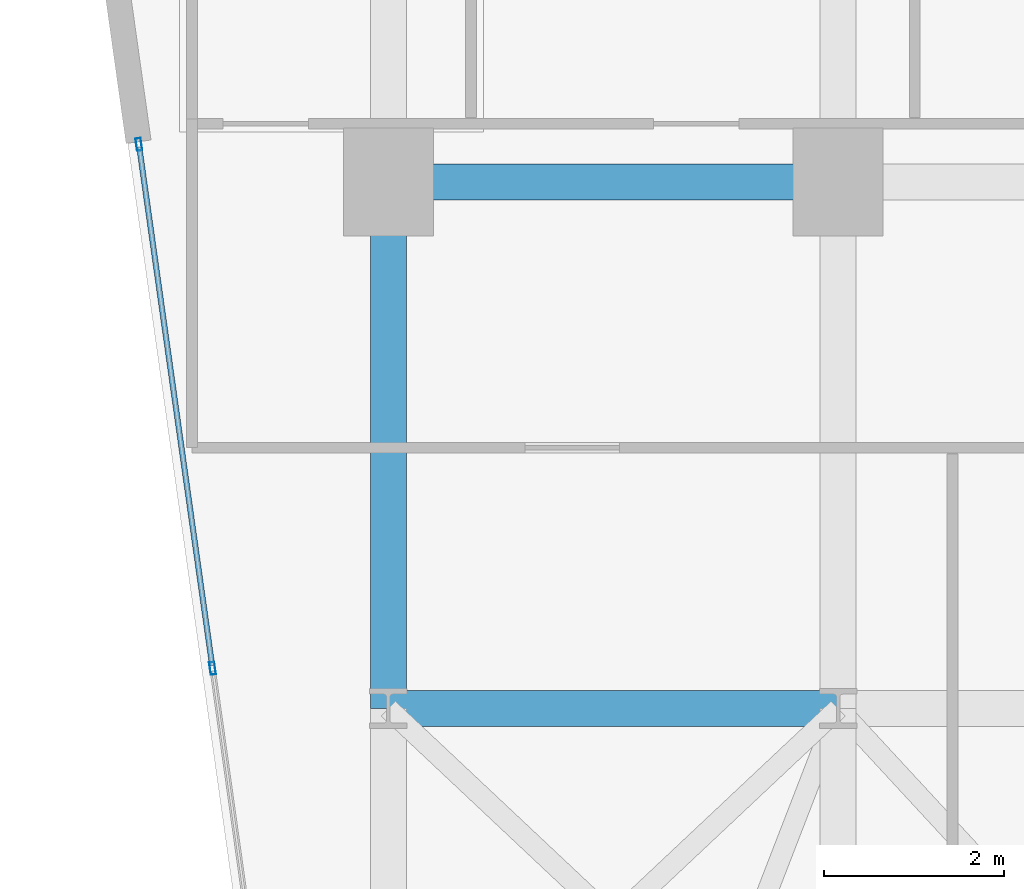
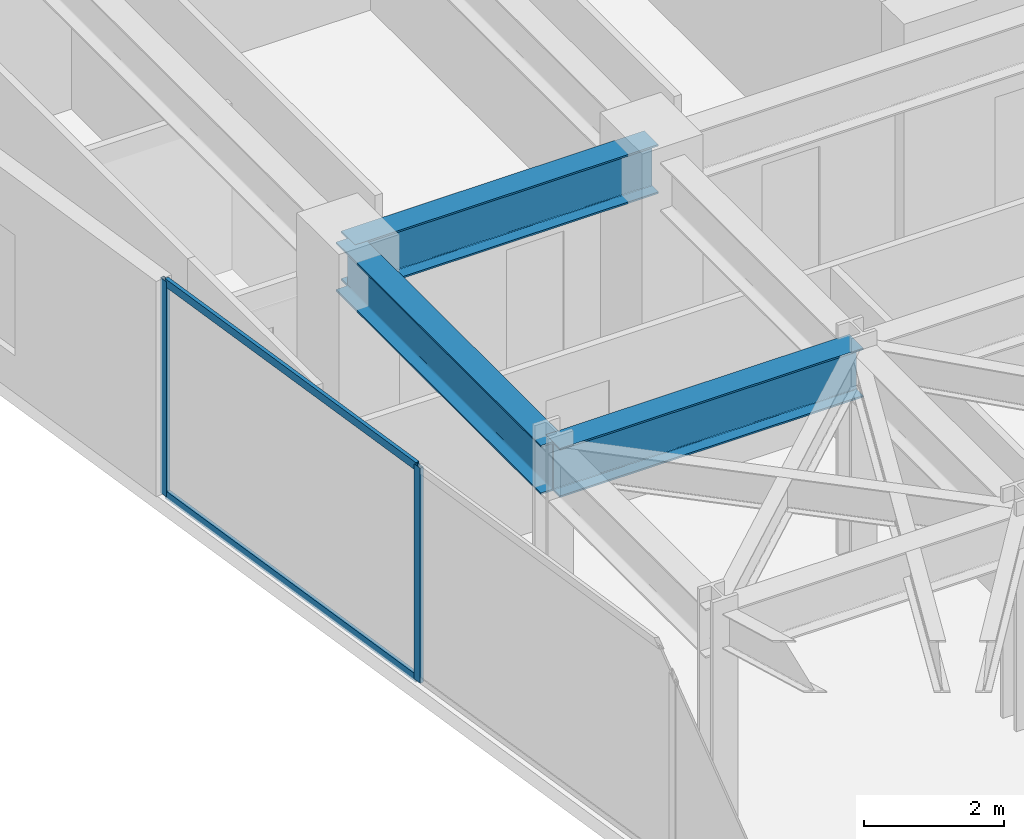
# One storey, part 11 of 26: 4 members, 3 beams, 1 element without a shape of its own.
"""IFC4 building model written with IfcOpenShell, lengths in metres."""

from ifc_helpers import new_model, si_unit, direction, frame, origin, origin_2d, place, context, subcontext, project, spatial, hollow_rectangle, i_section, extrude, material, layer, layer_set, material_profile, profile_set, type_object, element, aggregate, save


model = new_model("IFC4")

# Units and contexts
model_context = context("Model", 3, precision=1e-05, world=origin(), true_north=direction((0.0, 1.0)))
body_context = subcontext(model_context, "Body", "Model", "MODEL_VIEW")
ifc_project = project(units=[si_unit("LENGTHUNIT", "METRE"), si_unit("AREAUNIT", "SQUARE_METRE"), si_unit("VOLUMEUNIT", "CUBIC_METRE"), si_unit("PLANEANGLEUNIT", "RADIAN"), si_unit("MASSUNIT", "GRAM", prefix="KILO")], contexts=[model_context])

# Site, building, storey
site_placement = place(None, origin())
site = spatial("IfcSite", under=ifc_project, at=site_placement, CompositionType="ELEMENT")
building_placement = place(site_placement, origin())
building = spatial("IfcBuilding", under=site, at=building_placement, Name="Kravanh Interchange Tower", CompositionType="ELEMENT")
storey_placement = place(building_placement, frame((0.0, 0.0, 128.0)))
storey = spatial("IfcBuildingStorey", under=building, at=storey_placement, Name="L30", CompositionType="ELEMENT", Elevation=128.0)

# Curtain wall, members
ifc_material_1 = material(Name="Anodised Bronze Aluminium", Category="aluminium")
ifc_layer = layer(ifc_material_1, 0.179931640625)
ifc_layer_set = layer_set([ifc_layer], Name="Unitised Curtain Wall System CW-Z2 Mid Office")
curtain_wall_type = type_object("IfcCurtainWallType", Name="Unitised Curtain Wall System CW-Z2 Mid Office", PredefinedType="NOTDEFINED", material=ifc_layer_set)
curtain_wall_placement = place(storey_placement, origin())
curtain_wall = element("IfcCurtainWall", 1, at=curtain_wall_placement, inside=storey, type_object=curtain_wall_type, Name="L30 Unitised Curtain Wall CW-L30-01", PredefinedType="NOTDEFINED")
ifc_material_2 = material(Name="Anodised Bronze Aluminium", Category="aluminium")
ifc_material_profile_1 = material_profile(ifc_material_2, hollow_rectangle(XDim=0.06005859375, YDim=0.139892578125, WallThickness=0.00390625, at=origin_2d()), Name="ALU60X140X4")
ifc_profile_set_1 = profile_set([ifc_material_profile_1], Name="Anodised Bronze Aluminium")
member_type_1 = type_object("IfcMemberType", Name="Curtain Wall Mullion ALU60X140X4 Bronze", PredefinedType="MULLION", material=ifc_profile_set_1)
member_1_placement = place(storey_placement, frame((11.6474609375, 31.94775390625, 0.0), z_axis=(0.0, 0.0, 1.0), x_axis=(-0.990268103846, -0.13917285118, 0.0)))
member_1 = element("IfcMember", 2, at=member_1_placement, type_object=member_type_1, Name="CW-Z2 mullion 5", PredefinedType="MULLION", context=body_context, shape_type="SweptSolid", body=[
    extrude(hollow_rectangle(XDim=0.06005859375, YDim=0.139892578125, WallThickness=0.00390625, at=origin_2d()), origin(), (0.0, 0.0, 1.0), 3.75),
])
member_2_placement = place(storey_placement, frame((10.8291015625, 37.770263671875, 0.0), z_axis=(0.0, 0.0, 1.0), x_axis=(-0.990268103846, -0.13917285118, 0.0)))
member_2 = element("IfcMember", 3, at=member_2_placement, type_object=member_type_1, Name="CW-Z2 mullion 6", PredefinedType="MULLION", context=body_context, shape_type="SweptSolid", body=[
    extrude(hollow_rectangle(XDim=0.06005859375, YDim=0.139892578125, WallThickness=0.00390625, at=origin_2d()), origin(), (0.0, 0.0, 1.0), 3.75),
])
ifc_material_3 = material(Name="Anodised Bronze Aluminium", Category="aluminium")
ifc_material_profile_2 = material_profile(ifc_material_3, hollow_rectangle(XDim=0.06005859375, YDim=0.139892578125, WallThickness=0.00390625, at=origin_2d()), Name="ALU60X140X4")
ifc_profile_set_2 = profile_set([ifc_material_profile_2], Name="Anodised Bronze Aluminium")
member_type_2 = type_object("IfcMemberType", Name="Curtain Wall Transom ALU60X140X4 Bronze", PredefinedType="USERDEFINED", material=ifc_profile_set_2)
member_3_placement = place(storey_placement, frame((11.643310546875, 31.9775390625, 0.030029296875), z_axis=(-0.139195052528, 0.990264983402, 0.0), x_axis=(-0.990264983402, -0.139195052528, 0.0)))
member_3 = element("IfcMember", 4, at=member_3_placement, type_object=member_type_2, Name="CW-Z2 transom 5.1", ObjectType="TRANSOM", PredefinedType="USERDEFINED", context=body_context, shape_type="SweptSolid", body=[
    extrude(hollow_rectangle(XDim=0.06005859375, YDim=0.139892578125, WallThickness=0.00390625, at=origin_2d()), origin(), (0.0, 0.0, 1.0), 5.819580078125),
])
member_4_placement = place(storey_placement, frame((11.643310546875, 31.9775390625, 3.719970703125), z_axis=(-0.139195052528, 0.990264983402, 0.0), x_axis=(-0.990264983402, -0.139195052528, 0.0)))
member_4 = element("IfcMember", 5, at=member_4_placement, type_object=member_type_2, Name="CW-Z2 transom 5.2", ObjectType="TRANSOM", PredefinedType="USERDEFINED", context=body_context, shape_type="SweptSolid", body=[
    extrude(hollow_rectangle(XDim=0.06005859375, YDim=0.139892578125, WallThickness=0.00390625, at=origin_2d()), origin(), (0.0, 0.0, 1.0), 5.819580078125),
])
aggregate(curtain_wall, [member_1, member_2, member_3, member_4])

# Beams
ifc_material_4 = material(Name="Structural Steel S355", Category="steel")
ifc_material_profile_3 = material_profile(ifc_material_4, i_section(OverallWidth=0.39990234375, OverallDepth=0.85595703125, WebThickness=0.018310546875, FlangeThickness=0.029296875, FilletRadius=0.02490234375, at=origin_2d()), Name="W33X201")
ifc_profile_set_3 = profile_set([ifc_material_profile_3], Name="Structural Steel S355")
beam_type = type_object("IfcBeamType", Name="Floor Beam W33X201 Structural Steel S355", PredefinedType="BEAM", material=ifc_profile_set_3)
beam_1_placement = place(storey_placement, frame((18.60009765625, 37.35009765625, 3.322021484375), z_axis=(-1.0, 0.0, 0.0), x_axis=(0.0, -1.0, 0.0)))
element("IfcBeam", 6, at=beam_1_placement, inside=storey, type_object=beam_type, Name="L30 Primary Floor Girder 28", PredefinedType="BEAM", context=body_context, shape_type="SweptSolid", body=[
    extrude(i_section(OverallWidth=0.39990234375, OverallDepth=0.85595703125, WebThickness=0.018310546875, FlangeThickness=0.029296875, FilletRadius=0.02490234375, at=origin_2d()), origin(), (0.0, 0.0, 1.0), 5.0),
])
beam_2_placement = place(storey_placement, frame((13.60009765625, 37.35009765625, 3.322021484375), z_axis=(0.0, -1.0, 0.0), x_axis=(1.0, 0.0, 0.0)))
element("IfcBeam", 7, at=beam_2_placement, inside=storey, type_object=beam_type, Name="L30 Primary Floor Girder 32", PredefinedType="BEAM", context=body_context, shape_type="SweptSolid", body=[
    extrude(i_section(OverallWidth=0.39990234375, OverallDepth=0.85595703125, WebThickness=0.018310546875, FlangeThickness=0.029296875, FilletRadius=0.02490234375, at=origin_2d()), origin(), (0.0, 0.0, 1.0), 5.85009765625),
])
beam_3_placement = place(storey_placement, frame((13.60009765625, 31.5, 3.322021484375), z_axis=(1.0, 0.0, 0.0), x_axis=(0.0, 1.0, 0.0)))
element("IfcBeam", 8, at=beam_3_placement, inside=storey, type_object=beam_type, Name="L30 Primary Floor Girder 69", PredefinedType="BEAM", context=body_context, shape_type="SweptSolid", body=[
    extrude(i_section(OverallWidth=0.39990234375, OverallDepth=0.85595703125, WebThickness=0.018310546875, FlangeThickness=0.029296875, FilletRadius=0.02490234375, at=origin_2d()), origin(), (0.0, 0.0, 1.0), 5.0),
])

save(model, "model.ifc")
